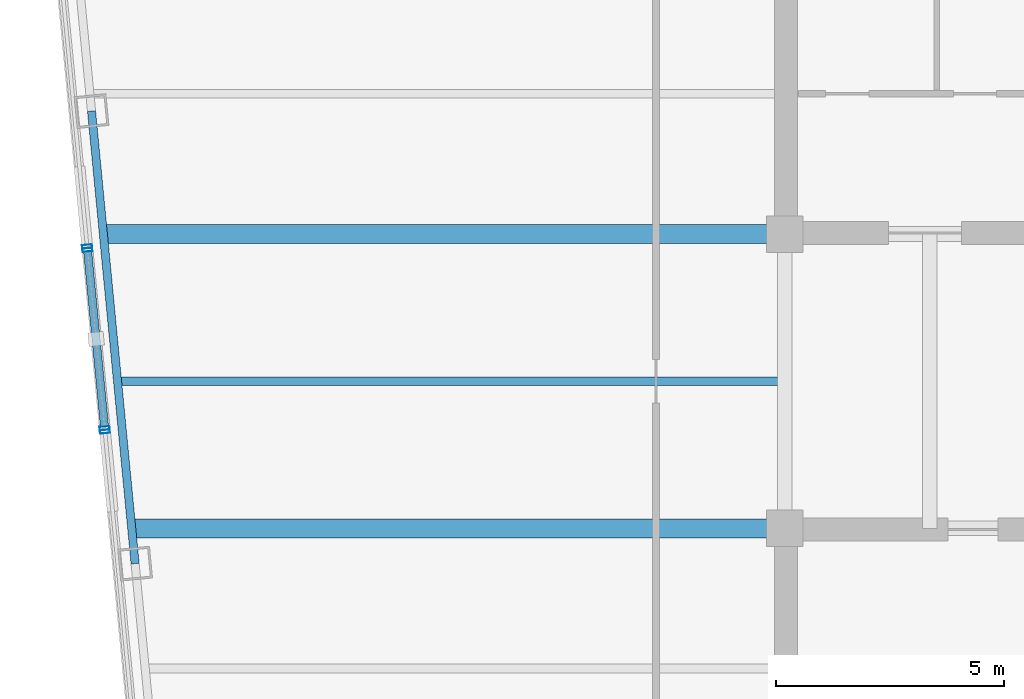
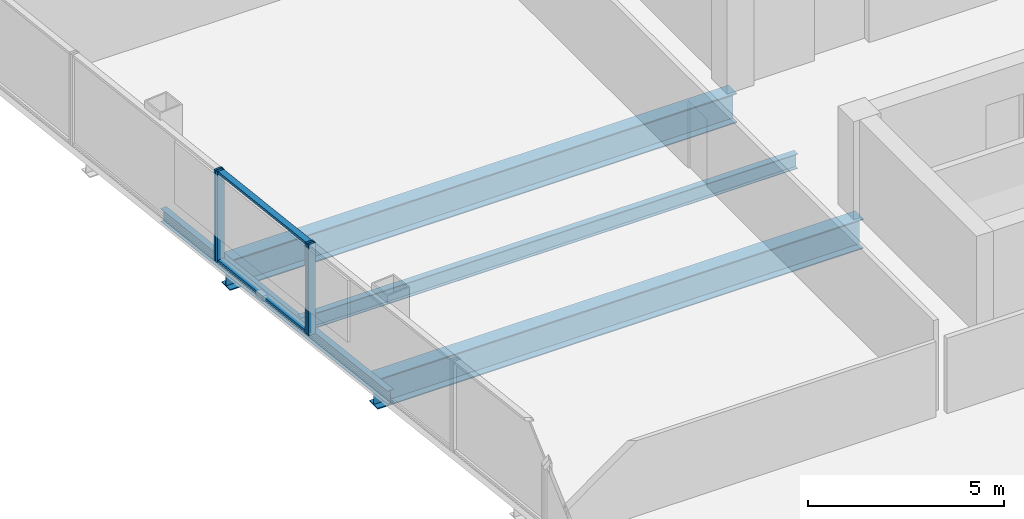
# One storey, part 6 of 21: 6 members, 4 beams, 3 elements without a shape of their own.
"""IFC4 building model written with IfcOpenShell, lengths in metres."""

import ifcopenshell
import ifcopenshell.guid

model = None  # the IFC model being written
_history = None  # IfcOwnerHistory: only IFC2X3 demands one
_inside = {}  # id of a spatial element -> (the spatial element, [elements in it])
_under = {}  # id of a project, library or spatial element -> (it, [spatial elements below it])
_declared = {}  # id of a project -> (the project, [libraries it declares])
_typed = {}  # id of a type object -> (the type object, [elements of that type])
_made_of = {}  # id of a material, layer set ... -> (it, [elements and type objects made of it])


def new_model(schema):
    """Start an empty IFC model of exactly this schema.

    Asked for "IFC4X3", IfcOpenShell would pick the latest addendum, in which some entities
    have other attributes; the version numbers below select the first issue.
    IFC2X3 requires an IfcOwnerHistory on every rooted entity: one is made here for all.
    """
    global model, _history
    if schema == "IFC4X3":
        model = ifcopenshell.file(schema_version=(4, 3, 0, 0))
    else:
        model = ifcopenshell.file(schema=schema)
    _inside.clear()
    _under.clear()
    _declared.clear()
    _typed.clear()
    _made_of.clear()
    _history = None
    if model.schema == "IFC2X3":
        org = make("IfcOrganization", Name="unknown")
        user = make(
            "IfcPersonAndOrganization",
            ThePerson=make("IfcPerson", FamilyName="unknown"),
            TheOrganization=org,
        )
        app = make(
            "IfcApplication",
            ApplicationDeveloper=org,
            Version="unknown",
            ApplicationFullName="unknown",
            ApplicationIdentifier="unknown",
        )
        _history = make(
            "IfcOwnerHistory",
            OwningUser=user,
            OwningApplication=app,
            ChangeAction="ADDED",
            CreationDate=0,
        )
    return model


def make(cls, **values):
    """One entity of the class cls with the attributes given. An attribute that is None is left unset."""
    return model.create_entity(
        cls, **{name: value for name, value in values.items() if value is not None}
    )


def rooted(cls, **values):
    """An entity with a GlobalId (a new one), such as an element, a storey or a relation."""
    return make(cls, GlobalId=ifcopenshell.guid.new(), OwnerHistory=_history, **values)


def si_unit(unit_type, name, prefix=None):
    """IfcSIUnit, for example si_unit("LENGTHUNIT", "METRE", prefix="MILLI")."""
    return make("IfcSIUnit", UnitType=unit_type, Prefix=prefix, Name=name)


def assignment(units):
    """IfcUnitAssignment: the units of a project."""
    return None if units is None else make("IfcUnitAssignment", Units=units)


def point(xyz):
    """IfcCartesianPoint."""
    return None if xyz is None else make("IfcCartesianPoint", Coordinates=xyz)


def direction(xyz):
    """IfcDirection."""
    return None if xyz is None else make("IfcDirection", DirectionRatios=xyz)


def frame(location, z_axis=None, x_axis=None):
    """IfcAxis2Placement3D, a coordinate frame: its origin and axes. An axis left out is left unset."""
    return make(
        "IfcAxis2Placement3D",
        Location=point(location),
        Axis=direction(z_axis),
        RefDirection=direction(x_axis),
    )


def frame_2d(location, x_axis=None):
    """IfcAxis2Placement2D, a coordinate frame in the plane: its origin and x axis."""
    return make(
        "IfcAxis2Placement2D", Location=point(location), RefDirection=direction(x_axis)
    )


def origin():
    """The frame at (0, 0, 0) with its axes left unset."""
    return frame((0.0, 0.0, 0.0))


def origin_2d():
    """The frame at (0, 0) in the plane with its x axis left unset."""
    return frame_2d((0.0, 0.0))


def place(relative_to, where):
    """IfcLocalPlacement: puts the frame where relative to a parent placement (None: the world)."""
    return make(
        "IfcLocalPlacement", PlacementRelTo=relative_to, RelativePlacement=where
    )


def context(
    kind, dimensions, precision=None, world=None, true_north=None, identifier=None
):
    """IfcGeometricRepresentationContext, for example the 3D "Model" context."""
    return make(
        "IfcGeometricRepresentationContext",
        ContextIdentifier=identifier,
        ContextType=kind,
        CoordinateSpaceDimension=dimensions,
        Precision=precision,
        WorldCoordinateSystem=world,
        TrueNorth=true_north,
    )


def subcontext(parent, identifier, kind, view, scale=None):
    """IfcGeometricRepresentationSubContext, for example "Body" below "Model"."""
    return make(
        "IfcGeometricRepresentationSubContext",
        ContextIdentifier=identifier,
        ContextType=kind,
        ParentContext=parent,
        TargetScale=scale,
        TargetView=view,
    )


def project(units=None, contexts=None):
    """IfcProject with its units and contexts."""
    return rooted(
        "IfcProject",
        Name="project",
        RepresentationContexts=contexts,
        UnitsInContext=assignment(units),
    )


def spatial(cls, under=None, at=None, **own):
    """A site, building, storey or space (cls), placed at a placement, below another one or the project."""
    s = rooted(cls, ObjectPlacement=at, **own)
    if under is not None:
        _under.setdefault(under.id(), (under, []))[1].append(s)
    return s


def profile(cls, at=None, kind="AREA", **sizes):
    """A parametric profile (cls). Its sizes go by their IFC names, for example OverallWidth=200.0."""
    return make(cls, ProfileType=kind, Position=at, **sizes)


def hollow_rectangle(**sizes):
    """IfcRectangleHollowProfileDef."""
    return profile("IfcRectangleHollowProfileDef", **sizes)


def i_section(**sizes):
    """IfcIShapeProfileDef."""
    return profile("IfcIShapeProfileDef", **sizes)


def extrude(swept, where, along, depth):
    """IfcExtrudedAreaSolid: the profile swept, set in the frame where, extruded along a direction by depth."""
    return make(
        "IfcExtrudedAreaSolid",
        SweptArea=swept,
        Position=where,
        ExtrudedDirection=direction(along),
        Depth=depth,
    )


def shape(context_of_items, identifier, shape_type, items):
    """IfcShapeRepresentation: the items that make up one representation, for example the "Body"."""
    return make(
        "IfcShapeRepresentation",
        ContextOfItems=context_of_items,
        RepresentationIdentifier=identifier,
        RepresentationType=shape_type,
        Items=items,
    )


def material(Name=None, Category=None):
    """IfcMaterial."""
    return make("IfcMaterial", Name=Name, Category=Category)


def layer(
    of_material, thickness, ventilated=None, Name=None, Category=None, Priority=None
):
    """IfcMaterialLayer: one layer of a wall or slab, of a material (None: an air gap)."""
    return make(
        "IfcMaterialLayer",
        Material=of_material,
        LayerThickness=thickness,
        IsVentilated=ventilated,
        Name=Name,
        Category=Category,
        Priority=Priority,
    )


def layer_set(layers, Name=None):
    """IfcMaterialLayerSet."""
    return make("IfcMaterialLayerSet", MaterialLayers=layers, LayerSetName=Name)


def material_profile(
    of_material, cross_section, Name=None, Category=None, Priority=None
):
    """IfcMaterialProfile: a cross section and its material."""
    return make(
        "IfcMaterialProfile",
        Name=Name,
        Material=of_material,
        Profile=cross_section,
        Priority=Priority,
        Category=Category,
    )


def profile_set(profiles, Name=None, composite=None):
    """IfcMaterialProfileSet."""
    return make(
        "IfcMaterialProfileSet",
        Name=Name,
        MaterialProfiles=profiles,
        CompositeProfile=composite,
    )


def made_of(thing, what):
    """Note that an element or type object is made of a material, layer set ...; save() writes the relation."""
    if what is not None:
        _made_of.setdefault(what.id(), (what, []))[1].append(thing)
    return thing


def type_object(cls, material=None, **own):
    """A type object (cls), such as IfcWallType, which elements share."""
    return made_of(rooted(cls, **own), material)


def element(
    cls,
    number,
    at=None,
    inside=None,
    cuts=None,
    type_object=None,
    material=None,
    context=None,
    identifier="Body",
    shape_type=None,
    held_by="IfcProductDefinitionShape",
    body=None,
    shapes=None,
    **own,
):
    """One element of the class cls, such as IfcWall. Its Tag is "e" and its number.

    at: its placement. inside: the storey or other place that contains it. cuts: it is an
    opening in that element (IfcRelVoidsElement). A single representation is given by context,
    identifier, shape_type and body (its items); several are given by shapes. held_by: the class
    of the entity that holds the representations. save() writes the other relations.
    """
    e = rooted(cls, Tag="e%d" % number, ObjectPlacement=at, **own)
    if body is not None:
        shapes = [shape(context, identifier, shape_type, body)]
    if shapes is not None:
        e.Representation = make(held_by, Representations=shapes)
    if inside is not None:
        _inside.setdefault(inside.id(), (inside, []))[1].append(e)
    if cuts is not None:
        rooted(
            "IfcRelVoidsElement", RelatingBuildingElement=cuts, RelatedOpeningElement=e
        )
    if type_object is not None:
        _typed.setdefault(type_object.id(), (type_object, []))[1].append(e)
    return made_of(e, material)


def aggregate(whole, parts):
    """IfcRelAggregates: a whole, such as a stair, and the parts it consists of."""
    return rooted("IfcRelAggregates", RelatingObject=whole, RelatedObjects=parts)


def save(model, path):
    """Write the relations noted so far, then the file.

    IfcRelAggregates (storeys below a building ...), IfcRelContainedInSpatialStructure (elements
    in a storey), IfcRelDefinesByType, IfcRelAssociatesMaterial and IfcRelDeclares: one each for
    every whole, place, type object, material and project.
    """
    for whole, parts in _under.values():
        aggregate(whole, parts)
    for where, things in _inside.values():
        rooted(
            "IfcRelContainedInSpatialStructure",
            RelatedElements=things,
            RelatingStructure=where,
        )
    for kind, things in _typed.values():
        rooted("IfcRelDefinesByType", RelatedObjects=things, RelatingType=kind)
    for what, things in _made_of.values():
        rooted("IfcRelAssociatesMaterial", RelatedObjects=things, RelatingMaterial=what)
    for by, libraries in _declared.values():
        rooted("IfcRelDeclares", RelatingContext=by, RelatedDefinitions=libraries)
    model.write(path)


model = new_model("IFC4")

# Units and contexts
model_context = context("Model", 3, precision=1e-05, world=origin(), true_north=direction((0.0, 1.0)))
body_context = subcontext(model_context, "Body", "Model", "MODEL_VIEW")
ifc_project = project(units=[si_unit("LENGTHUNIT", "METRE"), si_unit("AREAUNIT", "SQUARE_METRE"), si_unit("VOLUMEUNIT", "CUBIC_METRE"), si_unit("PLANEANGLEUNIT", "RADIAN"), si_unit("MASSUNIT", "GRAM", prefix="KILO")], contexts=[model_context])

# Site, building, storey
site_placement = place(None, origin())
site = spatial("IfcSite", under=ifc_project, at=site_placement, CompositionType="ELEMENT")
building_placement = place(site_placement, origin())
building = spatial("IfcBuilding", under=site, at=building_placement, Name="Qhalaya Broadcast Tower", CompositionType="ELEMENT")
storey_placement = place(building_placement, frame((0.0, 0.0, 162.25)))
storey = spatial("IfcBuildingStorey", under=building, at=storey_placement, Name="L47", CompositionType="ELEMENT", Elevation=162.25)

# Beams
ifc_material_1 = material(Name="Structural Steel ASTM A992 Grade 50", Category="steel")
ifc_material_profile_1 = material_profile(ifc_material_1, i_section(OverallWidth=0.19189453125, OverallDepth=0.462890625, WebThickness=0.010498046875, FlangeThickness=0.017578125, at=origin_2d()), Name="W18X60")
ifc_profile_set_1 = profile_set([ifc_material_profile_1], Name="Structural Steel ASTM A992 Grade 50")
beam_type_1 = type_object("IfcBeamType", Name="Composite Floor Joist J03", PredefinedType="JOIST", material=ifc_profile_set_1)
beam_1_placement = place(storey_placement, frame((-23.982421875, 0.60009765625, -0.451416015625), z_axis=(1.0, 0.0, 0.0), x_axis=(0.0, 1.0, 0.0)))
element("IfcBeam", 1, at=beam_1_placement, inside=storey, type_object=beam_type_1, Name="L47 J03 L47-JWE4W-1", PredefinedType="JOIST", context=body_context, shape_type="SweptSolid", body=[
    extrude(i_section(OverallWidth=0.19189453125, OverallDepth=0.462890625, WebThickness=0.010498046875, FlangeThickness=0.017578125, at=origin_2d()), origin(), (0.0, 0.0, 1.0), 14.607421875),
])
ifc_material_profile_2 = material_profile(ifc_material_1, i_section(OverallWidth=0.4189453125, OverallDepth=0.927001953125, WebThickness=0.019287109375, FlangeThickness=0.031982421875, at=origin_2d()), Name="W36X231")
ifc_profile_set_2 = profile_set([ifc_material_profile_2], Name="Structural Steel ASTM A992 Grade 50")
beam_type_2 = type_object("IfcBeamType", Name="Mid Block Primary Girder PG3", PredefinedType="USERDEFINED", material=ifc_profile_set_2)
beam_2_placement = place(storey_placement, frame((-23.671875, -2.625, -0.68359375), z_axis=(1.0, 0.0, 0.0), x_axis=(0.0, 1.0, 0.0)))
element("IfcBeam", 2, at=beam_2_placement, inside=storey, type_object=beam_type_2, Name="L47 PG3 L47-PGYW2-1", ObjectType="GIRDER", PredefinedType="USERDEFINED", context=body_context, shape_type="SweptSolid", body=[
    extrude(i_section(OverallWidth=0.4189453125, OverallDepth=0.927001953125, WebThickness=0.019287109375, FlangeThickness=0.031982421875, at=origin_2d()), origin(), (0.0, 0.0, 1.0), 14.296875),
])
beam_3_placement = place(storey_placement, frame((-24.29296875, 3.824951171875, -0.68359375), z_axis=(1.0, 0.0, 0.0), x_axis=(0.0, 1.0, 0.0)))
element("IfcBeam", 3, at=beam_3_placement, inside=storey, type_object=beam_type_2, Name="L47 PG3 L47-PGYW3-1", ObjectType="GIRDER", PredefinedType="USERDEFINED", context=body_context, shape_type="SweptSolid", body=[
    extrude(i_section(OverallWidth=0.4189453125, OverallDepth=0.927001953125, WebThickness=0.019287109375, FlangeThickness=0.031982421875, at=origin_2d()), origin(), (0.0, 0.0, 1.0), 14.91796875),
])

# Curtain wall, member
ifc_material_2 = material(Name="Fired Architectural Terracotta", Category="masonry")
ifc_layer_1 = layer(ifc_material_2, 0.219970703125, Name="Fired Architectural Terracotta")
ifc_layer_set_1 = layer_set([ifc_layer_1], Name="Fired Architectural Terracotta")
curtain_wall_type_1 = type_object("IfcCurtainWallType", Name="Block-Cap Unitised Terracotta Spandrel Wall CW-07", PredefinedType="NOTDEFINED", material=ifc_layer_set_1)
curtain_wall_1_placement = place(storey_placement, origin())
curtain_wall_1 = element("IfcCurtainWall", 4, at=curtain_wall_1_placement, inside=storey, type_object=curtain_wall_type_1, Name="L47 Unitised Curtain Wall L47-CW-W3", PredefinedType="NOTDEFINED")
ifc_material_3 = material(Name="Anodised Aluminium 6063-T6", Category="aluminium")
ifc_material_profile_3 = material_profile(ifc_material_3, hollow_rectangle(XDim=0.074951171875, YDim=0.219970703125, WallThickness=0.00390625, at=origin_2d()), Name="ALU-MUL 75x220x4")
ifc_profile_set_3 = profile_set([ifc_material_profile_3], Name="Anodised Aluminium 6063-T6")
member_type_1 = type_object("IfcMemberType", Name="Unitised Curtain-Wall Mullion M01", PredefinedType="MULLION", material=ifc_profile_set_3)
member_1_placement = place(storey_placement, frame((-24.668701171875, 3.553466796875, 0.0), z_axis=(0.0, 0.0, 1.0), x_axis=(0.095836642528, -0.995397075518, 0.0)))
member_1 = element("IfcMember", 5, at=member_1_placement, type_object=member_type_1, Name="CW-07 mullion 2", PredefinedType="MULLION", context=body_context, shape_type="SweptSolid", body=[
    extrude(hollow_rectangle(XDim=0.074951171875, YDim=0.219970703125, WallThickness=0.00390625, at=origin_2d()), origin(), (0.0, 0.0, 1.0), 2.830078125),
])
aggregate(curtain_wall_1, [member_1])

# Curtain wall, members
ifc_material_4 = material(Name="Solar-Control Low-E Triple Glazing", Category="glass")
ifc_layer_2 = layer(ifc_material_4, 0.219970703125, Name="Solar-Control Low-E Triple Glazing")
ifc_layer_set_2 = layer_set([ifc_layer_2], Name="Solar-Control Low-E Triple Glazing")
curtain_wall_type_2 = type_object("IfcCurtainWallType", Name="Even-Block 4-Storey Double-Module Curtain Wall CW-03", PredefinedType="NOTDEFINED", material=ifc_layer_set_2)
curtain_wall_2_placement = place(storey_placement, origin())
curtain_wall_2 = element("IfcCurtainWall", 6, at=curtain_wall_2_placement, inside=storey, type_object=curtain_wall_type_2, Name="L47 Unitised Curtain Wall L47-CW-W4", PredefinedType="NOTDEFINED")
member_2_placement = place(storey_placement, frame((-24.661376953125, 3.478759765625, 0.0), z_axis=(0.0, 0.0, 1.0), x_axis=(0.095851433835, -0.995395651302, 0.0)))
member_2 = element("IfcMember", 7, at=member_2_placement, type_object=member_type_1, Name="CW-03 mullion 1", PredefinedType="MULLION", context=body_context, shape_type="SweptSolid", body=[
    extrude(hollow_rectangle(XDim=0.074951171875, YDim=0.219970703125, WallThickness=0.00390625, at=origin_2d()), origin(), (0.0, 0.0, 1.0), 2.830078125),
])
member_3_placement = place(storey_placement, frame((-24.284912109375, -0.43017578125, 0.0), z_axis=(0.0, 0.0, 1.0), x_axis=(0.095851433835, -0.995395651302, 0.0)))
member_3 = element("IfcMember", 8, at=member_3_placement, type_object=member_type_1, Name="CW-03 mullion 2", PredefinedType="MULLION", context=body_context, shape_type="SweptSolid", body=[
    extrude(hollow_rectangle(XDim=0.074951171875, YDim=0.219970703125, WallThickness=0.00390625, at=origin_2d()), origin(), (0.0, 0.0, 1.0), 2.830078125),
])

# Curtain wall, member
curtain_wall_3_placement = place(storey_placement, origin())
curtain_wall_3 = element("IfcCurtainWall", 9, at=curtain_wall_3_placement, inside=storey, type_object=curtain_wall_type_1, Name="L47 Unitised Curtain Wall L47-CW-W5", PredefinedType="NOTDEFINED")
member_4_placement = place(storey_placement, frame((-24.27783203125, -0.5048828125, 0.0), z_axis=(0.0, 0.0, 1.0), x_axis=(0.095853708125, -0.995395432297, 0.0)))
member_4 = element("IfcMember", 10, at=member_4_placement, type_object=member_type_1, Name="CW-07 mullion 1", PredefinedType="MULLION", context=body_context, shape_type="SweptSolid", body=[
    extrude(hollow_rectangle(XDim=0.074951171875, YDim=0.219970703125, WallThickness=0.00390625, at=origin_2d()), origin(), (0.0, 0.0, 1.0), 2.830078125),
])
aggregate(curtain_wall_3, [member_4])

# Member
ifc_material_profile_4 = material_profile(ifc_material_3, hollow_rectangle(XDim=0.074951171875, YDim=0.179931640625, WallThickness=0.00390625, at=origin_2d()), Name="ALU-TRN 75x180x4")
ifc_profile_set_4 = profile_set([ifc_material_profile_4], Name="Anodised Aluminium 6063-T6")
member_type_2 = type_object("IfcMemberType", Name="Unitised Curtain-Wall Transom T01", PredefinedType="USERDEFINED", material=ifc_profile_set_4)
member_5_placement = place(storey_placement, frame((-24.65771484375, 3.44140625, 0.03759765625), z_axis=(0.095831968077, -0.995397525562, 0.0), x_axis=(0.0, 0.0, 1.0)))
member_5 = element("IfcMember", 11, at=member_5_placement, type_object=member_type_2, Name="CW-03 transom 1.1", ObjectType="TRANSOM", PredefinedType="USERDEFINED", context=body_context, shape_type="SweptSolid", body=[
    extrude(hollow_rectangle(XDim=0.074951171875, YDim=0.179931640625, WallThickness=0.00390625, at=origin_2d()), origin(), (0.0, 0.0, 1.0), 3.85205078125),
])

member_6_placement = place(storey_placement, frame((-24.65771484375, 3.44140625, 2.79248046875), z_axis=(0.095831968077, -0.995397525562, 0.0), x_axis=(0.0, 0.0, 1.0)))
member_6 = element("IfcMember", 12, at=member_6_placement, type_object=member_type_2, Name="CW-03 transom 1.2", ObjectType="TRANSOM", PredefinedType="USERDEFINED", context=body_context, shape_type="SweptSolid", body=[
    extrude(hollow_rectangle(XDim=0.074951171875, YDim=0.179931640625, WallThickness=0.00390625, at=origin_2d()), origin(), (0.0, 0.0, 1.0), 3.85205078125),
])

aggregate(curtain_wall_2, [member_2, member_3, member_5, member_6])

# Beam
ifc_material_profile_5 = material_profile(ifc_material_1, i_section(OverallWidth=0.177978515625, OverallDepth=0.406005859375, WebThickness=0.0078125, FlangeThickness=0.0126953125, at=origin_2d()), Name="W16X40")
ifc_profile_set_5 = profile_set([ifc_material_profile_5], Name="Structural Steel ASTM A992 Grade 50")
beam_type_3 = type_object("IfcBeamType", Name="Upper Perimeter Spandrel Beam SP2", PredefinedType="SPANDREL", material=ifc_profile_set_5)
beam_4_placement = place(storey_placement, frame((-24.572509765625, 6.521240234375, -0.423095703125), z_axis=(0.095850563819, -0.99539573508, 0.0), x_axis=(0.99539573508, 0.095850563819, 0.0)))
element("IfcBeam", 13, at=beam_4_placement, inside=storey, type_object=beam_type_3, Name="L47 SP2 L47-SPR-14", PredefinedType="SPANDREL", context=body_context, shape_type="SweptSolid", body=[
    extrude(i_section(OverallWidth=0.177978515625, OverallDepth=0.406005859375, WebThickness=0.0078125, FlangeThickness=0.0126953125, at=origin_2d()), origin(), (0.0, 0.0, 1.0), 9.966796875),
])

save(model, "model.ifc")
